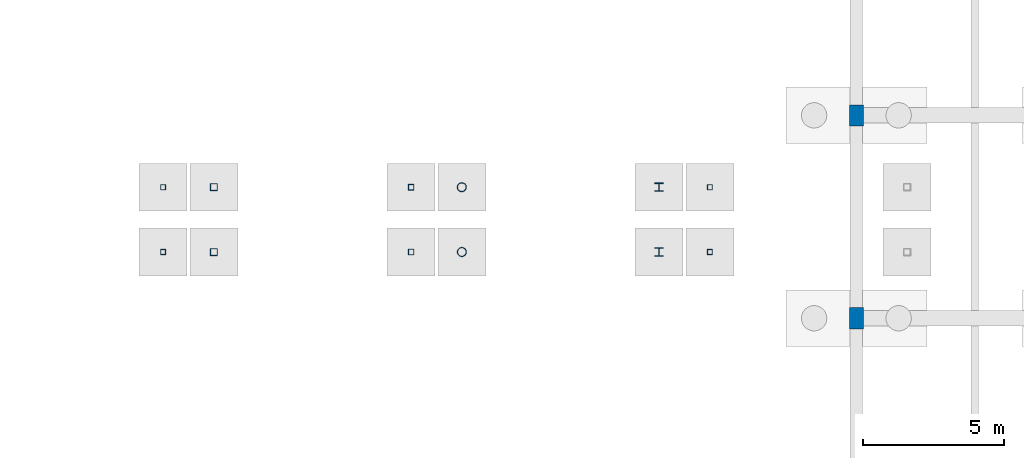
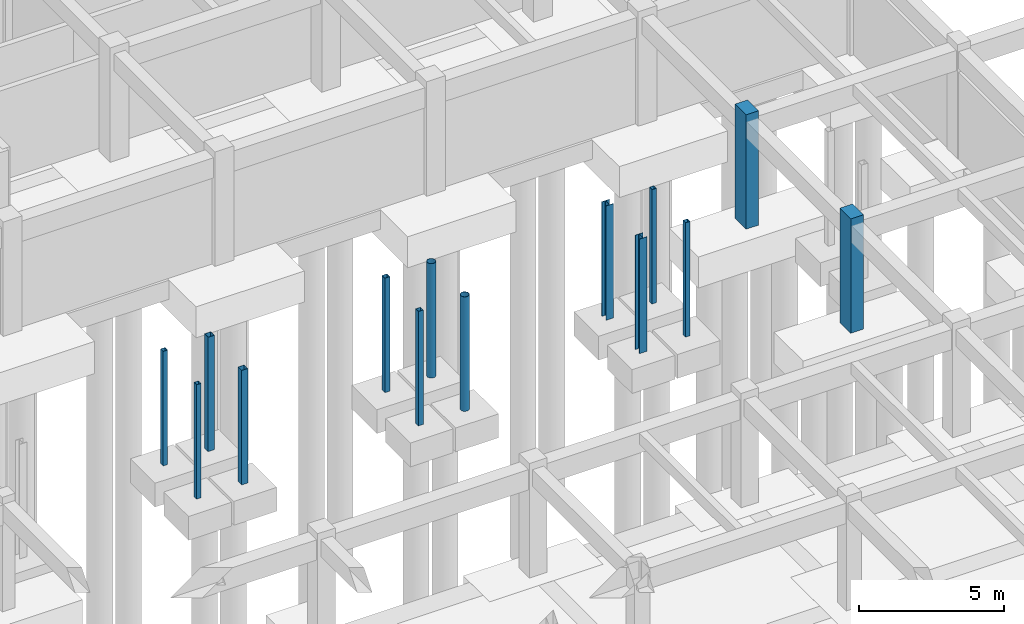
# One storey, part 41 of 80: 14 columns.
"""IFC4 building model written with IfcOpenShell, lengths in metres."""

from ifc_helpers import new_model, si_unit, direction, frame, origin, origin_2d, place, context, subcontext, project, spatial, rectangle, hollow_rectangle, hollow_circle, i_section, extrude, material, material_profile, profile_set, type_object, element, save


model = new_model("IFC4")

# Units and contexts
model_context = context("Model", 3, precision=1e-05, world=origin(), true_north=direction((0.0, 1.0)))
body_context = subcontext(model_context, "Body", "Model", "MODEL_VIEW")
ifc_project = project(units=[si_unit("LENGTHUNIT", "METRE"), si_unit("AREAUNIT", "SQUARE_METRE"), si_unit("VOLUMEUNIT", "CUBIC_METRE"), si_unit("PLANEANGLEUNIT", "RADIAN"), si_unit("MASSUNIT", "GRAM", prefix="KILO")], contexts=[model_context])

# Site, building, storey
site_placement = place(None, origin())
site = spatial("IfcSite", under=ifc_project, at=site_placement, CompositionType="ELEMENT")
building_placement = place(site_placement, origin())
building = spatial("IfcBuilding", under=site, at=building_placement, Name="Malvenik Polytechnic", CompositionType="ELEMENT")
storey_placement = place(building_placement, frame((0.0, 0.0, -4.800048828125)))
storey = spatial("IfcBuildingStorey", under=building, at=storey_placement, Name="B1", CompositionType="ELEMENT", Elevation=-4.800048828125)

# Columns
ifc_material_1 = material(Name="Concrete C35/45", Category="concrete")
ifc_material_profile_1 = material_profile(ifc_material_1, rectangle(XDim=0.5, YDim=0.75, at=origin_2d()), Name="RC COL 750x500")
ifc_profile_set_1 = profile_set([ifc_material_profile_1], Name="Concrete C35/45")
column_type_1 = type_object("IfcColumnType", Name="STR-COL-C-14", PredefinedType="COLUMN", material=ifc_profile_set_1)
for number, where, z_axis, x_axis, name in (
    (1, (126.0, 100.800048828125, 0.0), (0.0, 0.0, 1.0), (1.0, 0.0, 0.0), "Column C-14 B1 (126.0,100.8)"),
    (2, (126.0, 108.0, 0.0), (0.0, 0.0, 1.0), (1.0, 0.0, 0.0), "Column C-14 B1 (126.0,108.0)"),
):
    element("IfcColumn", number, at=place(storey_placement, frame(where, z_axis=z_axis, x_axis=x_axis)), inside=storey, type_object=column_type_1, Name=name, PredefinedType="COLUMN", context=body_context, shape_type="SweptSolid", body=[
        extrude(rectangle(XDim=0.5, YDim=0.75, at=origin_2d()), origin(), (0.0, 0.0, 1.0), 4.800048828125),
    ])
ifc_material_2 = material(Name="Steel S355J2H", Category="steel")
ifc_material_profile_2 = material_profile(ifc_material_2, hollow_rectangle(XDim=0.25, YDim=0.25, WallThickness=0.010009765625, at=origin_2d()), Name="SHS 250x250x10.0")
ifc_profile_set_2 = profile_set([ifc_material_profile_2], Name="Steel S355J2H")
column_type_2 = type_object("IfcColumnType", Name="STR-SCOL-SC-01", PredefinedType="COLUMN", material=ifc_profile_set_2)
for number, where, z_axis, x_axis, name in (
    (3, (103.199951171875, 103.14990234375, 0.0), (0.0, 0.0, 1.0), (1.0, 0.0, 0.0), "Bridge-Ramp Support Column SC-01 B1"),
    (4, (103.199951171875, 105.449951171875, 0.0), (0.0, 0.0, 1.0), (1.0, 0.0, 0.0), "Bridge-Ramp Support Column SC-01 B1"),
):
    element("IfcColumn", number, at=place(storey_placement, frame(where, z_axis=z_axis, x_axis=x_axis)), inside=storey, type_object=column_type_2, Name=name, PredefinedType="COLUMN", context=body_context, shape_type="SweptSolid", body=[
        extrude(hollow_rectangle(XDim=0.25, YDim=0.25, WallThickness=0.010009765625, at=origin_2d()), origin(), (0.0, 0.0, 1.0), 4.800048828125),
    ])
ifc_material_profile_3 = material_profile(ifc_material_2, hollow_rectangle(XDim=0.199951171875, YDim=0.199951171875, WallThickness=0.010009765625, at=origin_2d()), Name="SHS 200x200x10.0")
ifc_profile_set_3 = profile_set([ifc_material_profile_3], Name="Steel S355J2H")
column_type_3 = type_object("IfcColumnType", Name="STR-SCOL-SC-02", PredefinedType="COLUMN", material=ifc_profile_set_3)
for number, where, z_axis, x_axis, name in (
    (5, (110.199951171875, 103.14990234375, 0.0), (0.0, 0.0, 1.0), (1.0, 0.0, 0.0), "Bridge-Ramp Support Column SC-02 B1"),
    (6, (110.199951171875, 105.449951171875, 0.0), (0.0, 0.0, 1.0), (1.0, 0.0, 0.0), "Bridge-Ramp Support Column SC-02 B1"),
):
    element("IfcColumn", number, at=place(storey_placement, frame(where, z_axis=z_axis, x_axis=x_axis)), inside=storey, type_object=column_type_3, Name=name, PredefinedType="COLUMN", context=body_context, shape_type="SweptSolid", body=[
        extrude(hollow_rectangle(XDim=0.199951171875, YDim=0.199951171875, WallThickness=0.010009765625, at=origin_2d()), origin(), (0.0, 0.0, 1.0), 4.800048828125),
    ])
ifc_material_profile_4 = material_profile(ifc_material_2, hollow_circle(Radius=0.161865234375, WallThickness=0.012451171875, at=origin_2d()), Name="CHS 323.9x12.5")
ifc_profile_set_4 = profile_set([ifc_material_profile_4], Name="Steel S355J2H")
column_type_4 = type_object("IfcColumnType", Name="STR-SCOL-SC-04", PredefinedType="COLUMN", material=ifc_profile_set_4)
for number, where, z_axis, x_axis, name in (
    (7, (112.0, 103.14990234375, 0.0), (0.0, 0.0, 1.0), (1.0, 0.0, 0.0), "Bridge-Ramp Support Column SC-04 B1"),
    (8, (112.0, 105.449951171875, 0.0), (0.0, 0.0, 1.0), (1.0, 0.0, 0.0), "Bridge-Ramp Support Column SC-04 B1"),
):
    element("IfcColumn", number, at=place(storey_placement, frame(where, z_axis=z_axis, x_axis=x_axis)), inside=storey, type_object=column_type_4, Name=name, PredefinedType="COLUMN", context=body_context, shape_type="SweptSolid", body=[
        extrude(hollow_circle(Radius=0.161865234375, WallThickness=0.012451171875, at=origin_2d()), origin(), (0.0, 0.0, 1.0), 4.800048828125),
    ])
ifc_material_3 = material(Name="Steel S355", Category="steel")
ifc_material_profile_5 = material_profile(ifc_material_3, i_section(OverallWidth=0.300048828125, OverallDepth=0.300048828125, WebThickness=0.010986328125, FlangeThickness=0.01904296875, FilletRadius=0.027099609375, at=origin_2d()), Name="HEB 300")
ifc_profile_set_5 = profile_set([ifc_material_profile_5], Name="Steel S355")
column_type_5 = type_object("IfcColumnType", Name="STR-SCOL-SC-05", PredefinedType="COLUMN", material=ifc_profile_set_5)
for number, where, z_axis, x_axis, name in (
    (9, (119.0, 103.14990234375, 0.0), (0.0, 0.0, 1.0), (1.0, 0.0, 0.0), "Bridge-Ramp Support Column SC-05 B1"),
    (10, (119.0, 105.449951171875, 0.0), (0.0, 0.0, 1.0), (1.0, 0.0, 0.0), "Bridge-Ramp Support Column SC-05 B1"),
):
    element("IfcColumn", number, at=place(storey_placement, frame(where, z_axis=z_axis, x_axis=x_axis)), inside=storey, type_object=column_type_5, Name=name, PredefinedType="COLUMN", context=body_context, shape_type="SweptSolid", body=[
        extrude(i_section(OverallWidth=0.300048828125, OverallDepth=0.300048828125, WebThickness=0.010986328125, FlangeThickness=0.01904296875, FilletRadius=0.027099609375, at=origin_2d()), origin(), (0.0, 0.0, 1.0), 4.800048828125),
    ])
ifc_material_profile_6 = material_profile(ifc_material_2, hollow_rectangle(XDim=0.179931640625, YDim=0.179931640625, WallThickness=0.008056640625, at=origin_2d()), Name="SHS 180x180x8.0")
ifc_profile_set_6 = profile_set([ifc_material_profile_6], Name="Steel S355J2H")
column_type_6 = type_object("IfcColumnType", Name="STR-SCOL-SC-06", PredefinedType="COLUMN", material=ifc_profile_set_6)
for number, where, z_axis, x_axis, name in (
    (11, (101.39990234375, 103.14990234375, 0.0), (0.0, 0.0, 1.0), (1.0, 0.0, 0.0), "Bridge-Ramp Support Column SC-06 B1"),
    (12, (101.39990234375, 105.449951171875, 0.0), (0.0, 0.0, 1.0), (1.0, 0.0, 0.0), "Bridge-Ramp Support Column SC-06 B1"),
    (13, (120.800048828125, 103.14990234375, 0.0), (0.0, 0.0, 1.0), (1.0, 0.0, 0.0), "Bridge-Ramp Support Column SC-06 B1"),
    (14, (120.800048828125, 105.449951171875, 0.0), (0.0, 0.0, 1.0), (1.0, 0.0, 0.0), "Bridge-Ramp Support Column SC-06 B1"),
):
    element("IfcColumn", number, at=place(storey_placement, frame(where, z_axis=z_axis, x_axis=x_axis)), inside=storey, type_object=column_type_6, Name=name, PredefinedType="COLUMN", context=body_context, shape_type="SweptSolid", body=[
        extrude(hollow_rectangle(XDim=0.179931640625, YDim=0.179931640625, WallThickness=0.008056640625, at=origin_2d()), origin(), (0.0, 0.0, 1.0), 4.800048828125),
    ])

save(model, "model.ifc")
